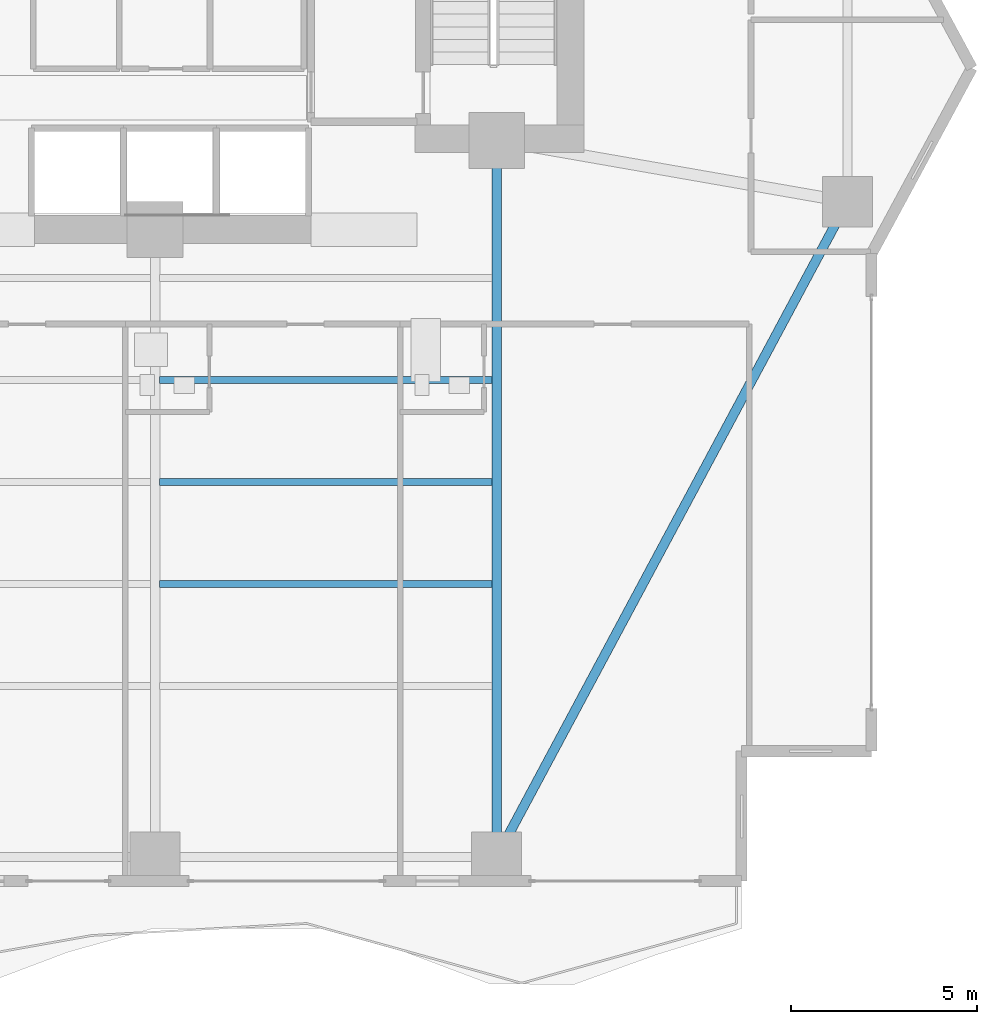
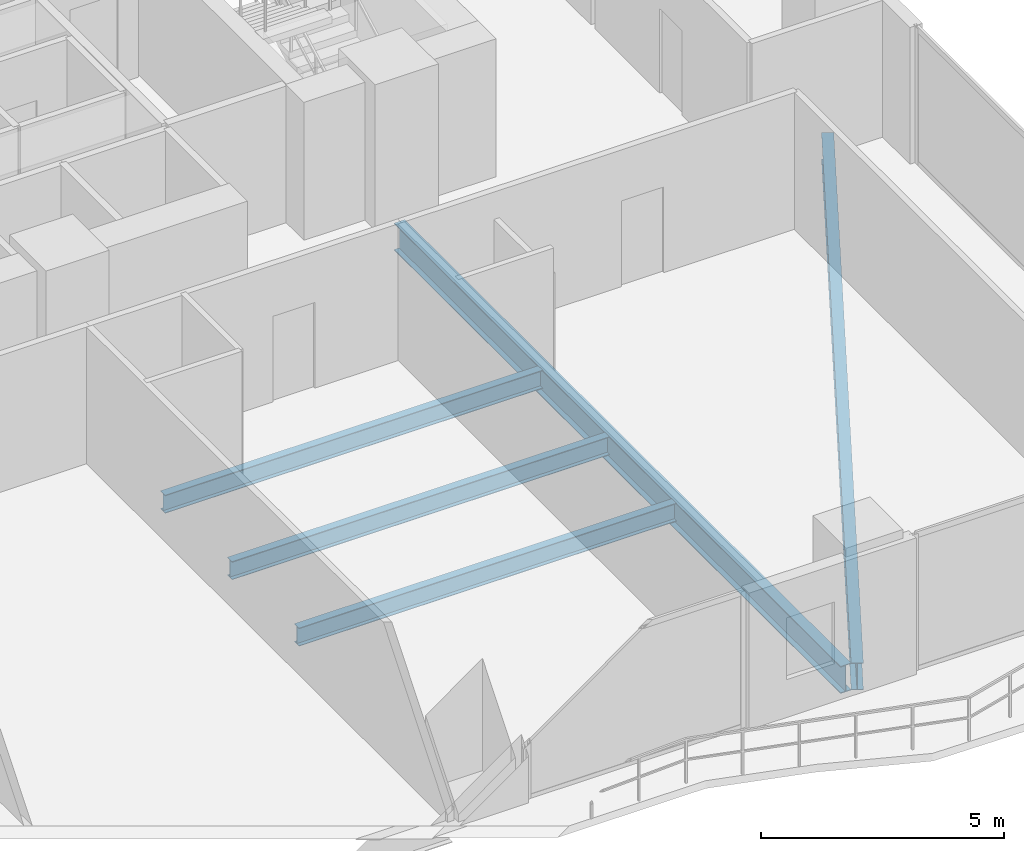
# One storey, part 10 of 28: 5 beams.
"""IFC4 building model written with IfcOpenShell, lengths in metres."""

from ifc_helpers import new_model, si_unit, direction, frame, origin, origin_2d, place, context, subcontext, project, spatial, i_section, extrude, material, material_profile, profile_set, type_object, element, save


model = new_model("IFC4")

# Units and contexts
model_context = context("Model", 3, precision=1e-05, world=origin(), true_north=direction((0.0, 1.0)))
body_context = subcontext(model_context, "Body", "Model", "MODEL_VIEW")
ifc_project = project(units=[si_unit("LENGTHUNIT", "METRE"), si_unit("AREAUNIT", "SQUARE_METRE"), si_unit("VOLUMEUNIT", "CUBIC_METRE"), si_unit("PLANEANGLEUNIT", "RADIAN"), si_unit("MASSUNIT", "GRAM", prefix="KILO")], contexts=[model_context])

# Site, building, storey
site_placement = place(None, origin())
site = spatial("IfcSite", under=ifc_project, at=site_placement, CompositionType="ELEMENT")
building_placement = place(site_placement, origin())
building = spatial("IfcBuilding", under=site, at=building_placement, Name="Zuhayl Quay Hotel", CompositionType="ELEMENT")
storey_placement = place(building_placement, frame((0.0, 0.0, 99.300048828125)))
storey = spatial("IfcBuildingStorey", under=building, at=storey_placement, Name="L24", CompositionType="ELEMENT", Elevation=99.300048828125)

# Beams
ifc_material = material(Name="Steel ASTM A992 Grade 50", Category="steel")
ifc_material_profile_1 = material_profile(ifc_material, i_section(OverallWidth=0.25390625, OverallDepth=0.68310546875, WebThickness=0.012451171875, FlangeThickness=0.018798828125, at=origin_2d()), Name="W27X94")
ifc_profile_set_1 = profile_set([ifc_material_profile_1], Name="Steel ASTM A992 Grade 50")
beam_type_1 = type_object("IfcBeamType", Name="BM_B2_W27X94", PredefinedType="BEAM", material=ifc_profile_set_1)
beam_1_placement = place(storey_placement, frame((14.035888671875, -14.30908203125, -0.5615234375), z_axis=(0.472017301959, 0.88158928456, 0.0), x_axis=(-0.88158928456, 0.472017301959, 0.0)))
element("IfcBeam", 1, at=beam_1_placement, inside=storey, type_object=beam_type_1, Name="L24 Floor Beam RG_L24_04", PredefinedType="BEAM", context=body_context, shape_type="SweptSolid", body=[
    extrude(i_section(OverallWidth=0.25390625, OverallDepth=0.68310546875, WebThickness=0.012451171875, FlangeThickness=0.018798828125, at=origin_2d()), origin(), (0.0, 0.0, 1.0), 19.0205078125),
])
beam_2_placement = place(storey_placement, frame((13.800048828125, -14.25, -0.5615234375), z_axis=(0.0, 1.0, 0.0), x_axis=(-1.0, 0.0, 0.0)))
element("IfcBeam", 2, at=beam_2_placement, inside=storey, type_object=beam_type_1, Name="L24 Floor Beam FG_S_L24_4", PredefinedType="BEAM", context=body_context, shape_type="SweptSolid", body=[
    extrude(i_section(OverallWidth=0.25390625, OverallDepth=0.68310546875, WebThickness=0.012451171875, FlangeThickness=0.018798828125, at=origin_2d()), origin(), (0.0, 0.0, 1.0), 18.35009765625),
])
ifc_material_profile_2 = material_profile(ifc_material, i_section(OverallWidth=0.18994140625, OverallDepth=0.45703125, WebThickness=0.009033203125, FlangeThickness=0.014404296875, at=origin_2d()), Name="W18X50")
ifc_profile_set_2 = profile_set([ifc_material_profile_2], Name="Steel ASTM A992 Grade 50")
beam_type_2 = type_object("IfcBeamType", Name="BM_J2_W18X50", PredefinedType="JOIST", material=ifc_profile_set_2)
for number, where, z_axis, x_axis, name in (
    (3, (4.718994140625, -7.39990234375, -0.448486328125), (1.0, 0.0, 0.0), (0.0, 1.0, 0.0), "L24 Floor Beam FJ_L24_6_3"),
    (4, (4.718994140625, -4.64990234375, -0.448486328125), (1.0, 0.0, 0.0), (0.0, 1.0, 0.0), "L24 Floor Beam FJ_L24_7_3"),
    (5, (4.718994140625, -1.89990234375, -0.448486328125), (1.0, 0.0, 0.0), (0.0, 1.0, 0.0), "L24 Floor Beam FJ_L24_8_3"),
):
    element("IfcBeam", number, at=place(storey_placement, frame(where, z_axis=z_axis, x_axis=x_axis)), inside=storey, type_object=beam_type_2, Name=name, PredefinedType="JOIST", context=body_context, shape_type="SweptSolid", body=[
        extrude(i_section(OverallWidth=0.18994140625, OverallDepth=0.45703125, WebThickness=0.009033203125, FlangeThickness=0.014404296875, at=origin_2d()), origin(), (0.0, 0.0, 1.0), 8.9619140625),
    ])

save(model, "model.ifc")
